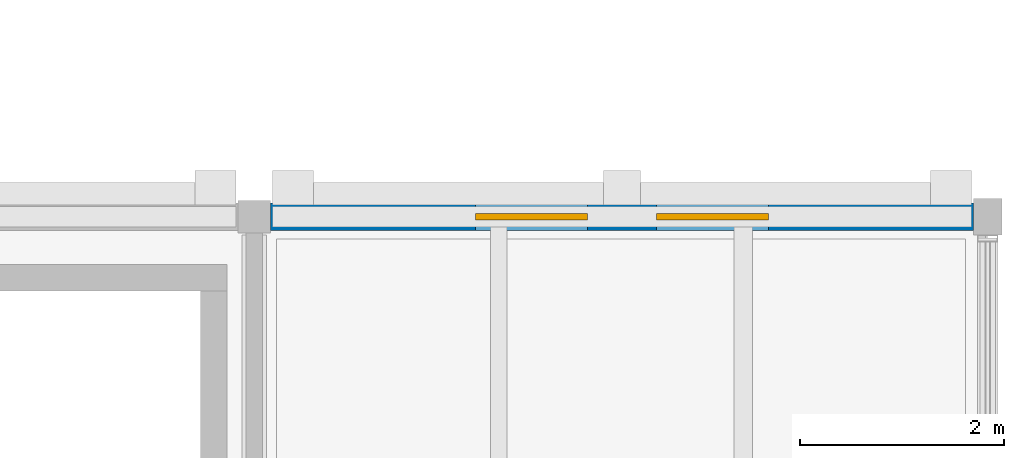
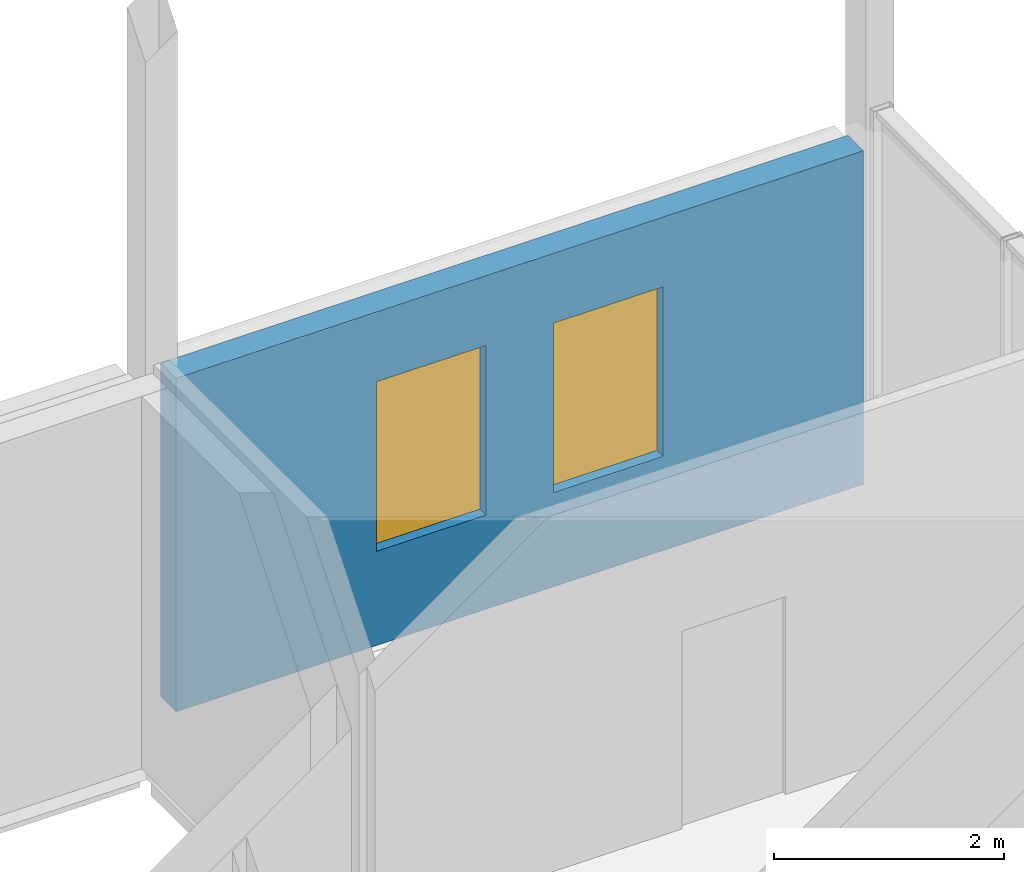
# One storey, part 95 of 115: 2 windows, 1 wall, 2 openings.
"""IFC4 building model written with IfcOpenShell, lengths in metres."""

from ifc_helpers import new_model, si_unit, direction, frame, frame_2d, origin, place, context, subcontext, project, spatial, rectangle, extrude, material, layer, layer_set, type_object, element, fill, save


model = new_model("IFC4")

# Units and contexts
model_context = context("Model", 3, precision=1e-05, world=origin(), true_north=direction((0.0, 1.0)))
body_context = subcontext(model_context, "Body", "Model", "MODEL_VIEW")
ifc_project = project(units=[si_unit("LENGTHUNIT", "METRE"), si_unit("AREAUNIT", "SQUARE_METRE"), si_unit("VOLUMEUNIT", "CUBIC_METRE"), si_unit("PLANEANGLEUNIT", "RADIAN"), si_unit("MASSUNIT", "GRAM", prefix="KILO")], contexts=[model_context])

# Site, building, storey
site_placement = place(None, origin())
site = spatial("IfcSite", under=ifc_project, at=site_placement, CompositionType="ELEMENT")
building_placement = place(site_placement, origin())
building = spatial("IfcBuilding", under=site, at=building_placement, Name="Hawrajan Terrace Health Centre", CompositionType="ELEMENT")
storey_placement = place(building_placement, frame((0.0, 0.0, 9.0)))
storey = spatial("IfcBuildingStorey", under=building, at=storey_placement, Name="L02", CompositionType="ELEMENT", Elevation=9.0)

# Wall, openings, windows
ifc_material_1 = material(Name="Cross-laminated timber CLT C24", Category="wood")
ifc_layer = layer(ifc_material_1, 0.27001953125)
ifc_layer_set = layer_set([ifc_layer], Name="Cross-laminated timber CLT C24")
wall_type = type_object("IfcWallType", Name="PavilionFacadeWall_270", PredefinedType="SOLIDWALL", material=ifc_layer_set)
wall_placement = place(storey_placement, frame((158.360107421875, 52.60009765625, 0.0), z_axis=(0.0, 0.0, 1.0), x_axis=(1.0, 0.0, 0.0)))
wall = element("IfcWall", 1, at=wall_placement, inside=storey, type_object=wall_type, Name="Exterior wall EW-L02-H20-06-1", PredefinedType="SOLIDWALL", context=body_context, shape_type="SweptSolid", body=[
    extrude(rectangle(XDim=6.89990234375, YDim=0.27001953125, at=frame_2d((3.449951171875, 0.0))), origin(), (0.0, 0.0, 1.0), 3.5400390625),
])
opening_1_placement = place(wall_placement, frame((2.010009765625, 0.0, 1.0)))
opening_1 = element("IfcOpeningElement", 2, at=opening_1_placement, cuts=wall, Name="Opening W-L02-169", PredefinedType="OPENING", context=body_context, shape_type="SweptSolid", body=[
    extrude(rectangle(XDim=1.10009765625, YDim=1.800048828125, at=frame_2d((0.550048828125, 0.89990234375))), frame((0.0, 0.14501953125, 0.0), z_axis=(0.0, -1.0, 0.0), x_axis=(1.0, 0.0, 0.0)), (0.0, 0.0, 1.0), 0.2900390625),
])
opening_2_placement = place(wall_placement, frame((3.7900390625, 0.0, 1.0)))
opening_2 = element("IfcOpeningElement", 3, at=opening_2_placement, cuts=wall, Name="Opening W-L02-170", PredefinedType="OPENING", context=body_context, shape_type="SweptSolid", body=[
    extrude(rectangle(XDim=1.10009765625, YDim=1.800048828125, at=frame_2d((0.550048828125, 0.89990234375))), frame((0.0, 0.14501953125, 0.0), z_axis=(0.0, -1.0, 0.0), x_axis=(1.0, 0.0, 0.0)), (0.0, 0.0, 1.0), 0.2900390625),
])
ifc_material_2 = material(Name="Anodized bronze frame with double low-E glazing", Category="glass")
window_type = type_object("IfcWindowType", Name="FacadeWindow_1100x1800", PartitioningType="SINGLE_PANEL", PredefinedType="WINDOW", material=ifc_material_2)
window_1_placement = place(opening_1_placement, origin())
window_1 = element("IfcWindow", 4, at=window_1_placement, inside=storey, type_object=window_type, Name="Window W-L02-169", OverallHeight=1.800048828125, OverallWidth=1.10009765625, PartitioningType="SINGLE_PANEL", PredefinedType="WINDOW", context=body_context, shape_type="SweptSolid", body=[
    extrude(rectangle(XDim=1.10009765625, YDim=1.800048828125, at=frame_2d((0.550048828125, 0.89990234375))), frame((0.0, 0.030029296875, 0.0), z_axis=(0.0, -1.0, 0.0), x_axis=(1.0, 0.0, 0.0)), (0.0, 0.0, 1.0), 0.06005859375),
])
fill(opening_1, window_1)
window_2_placement = place(opening_2_placement, origin())
window_2 = element("IfcWindow", 5, at=window_2_placement, inside=storey, type_object=window_type, Name="Window W-L02-170", OverallHeight=1.800048828125, OverallWidth=1.10009765625, PartitioningType="SINGLE_PANEL", PredefinedType="WINDOW", context=body_context, shape_type="SweptSolid", body=[
    extrude(rectangle(XDim=1.10009765625, YDim=1.800048828125, at=frame_2d((0.550048828125, 0.89990234375))), frame((0.0, 0.030029296875, 0.0), z_axis=(0.0, -1.0, 0.0), x_axis=(1.0, 0.0, 0.0)), (0.0, 0.0, 1.0), 0.06005859375),
])
fill(opening_2, window_2)

save(model, "model.ifc")
